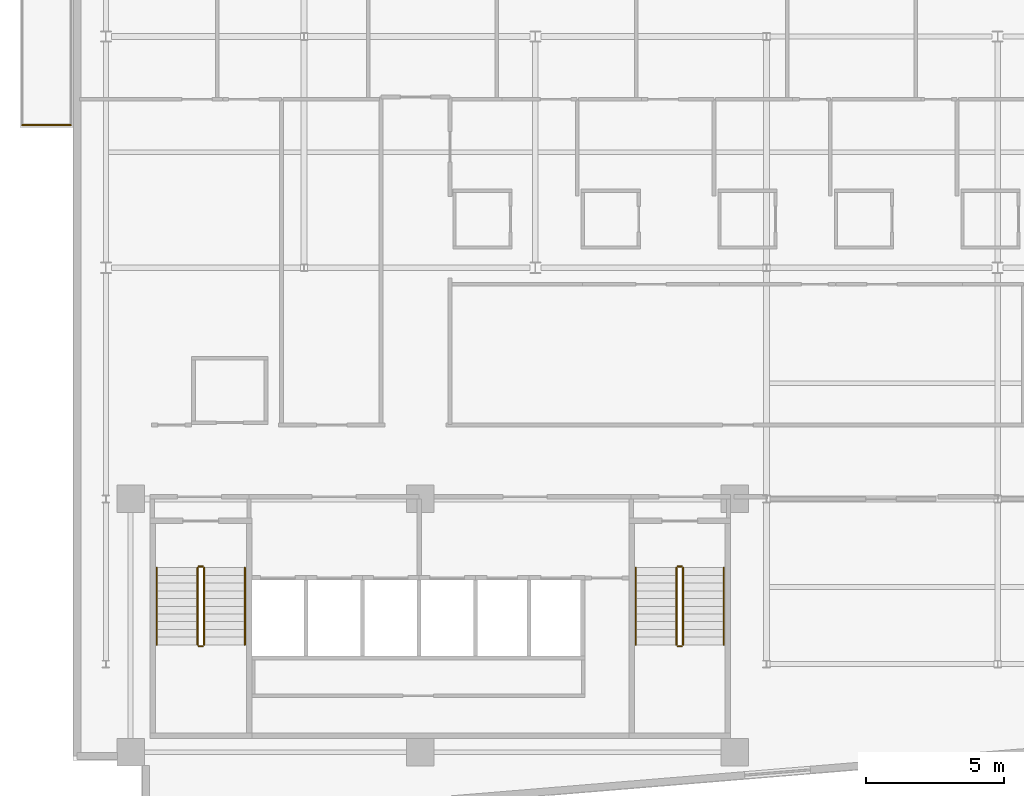
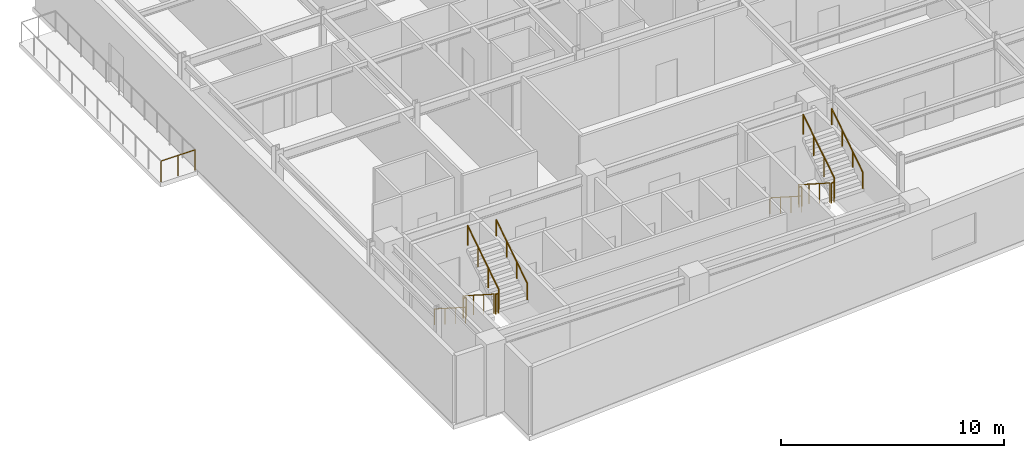
# One storey, part 14 of 16: 13 railings.
"""IFC4 building model written with IfcOpenShell, lengths in metres."""

from ifc_helpers import new_model, si_unit, direction, frame, origin, origin_2d, place, context, subcontext, project, spatial, circle, extrude, material, type_object, element, save


model = new_model("IFC4")

# Units and contexts
model_context = context("Model", 3, precision=1e-05, world=origin(), true_north=direction((0.0, 1.0)))
body_context = subcontext(model_context, "Body", "Model", "MODEL_VIEW")
ifc_project = project(units=[si_unit("LENGTHUNIT", "METRE"), si_unit("AREAUNIT", "SQUARE_METRE"), si_unit("VOLUMEUNIT", "CUBIC_METRE"), si_unit("PLANEANGLEUNIT", "RADIAN"), si_unit("MASSUNIT", "GRAM", prefix="KILO")], contexts=[model_context])

# Site, building, storey
site_placement = place(None, origin())
site = spatial("IfcSite", under=ifc_project, at=site_placement, CompositionType="ELEMENT")
building_placement = place(site_placement, origin())
building = spatial("IfcBuilding", under=site, at=building_placement, Name="Varnakote Quay Hospital", CompositionType="ELEMENT")
storey_placement = place(building_placement, frame((0.0, 0.0, 223.699951171875)))
storey = spatial("IfcBuildingStorey", under=building, at=storey_placement, Name="L55", CompositionType="ELEMENT", Elevation=223.699951171875)

# Railings
ifc_material_1 = material(Name="Anodised aluminium 6063-T6 Bronze", Category="aluminium")
railing_type_1 = type_object("IfcRailingType", Name="RLG-EXT-GUARD-1150", PredefinedType="GUARDRAIL", material=ifc_material_1)
railing_1_placement = place(storey_placement, frame((-0.075927734375, 25.580078125, 0.0)))
element("IfcRailing", 1, at=railing_1_placement, inside=storey, type_object=railing_type_1, Name="L55 Zigzag Prow Healing Terrace Safety Guard", PredefinedType="GUARDRAIL", context=body_context, shape_type="SweptSolid", body=[
    extrude(circle(Radius=0.02392578125, at=origin_2d()), frame((0.0, 0.0, 1.1259765625), z_axis=(-1.0, 0.0, 0.0), x_axis=(0.0, -1.0, 0.0)), (0.0, 0.0, 1.0), 1.76416015625),
    extrude(circle(Radius=0.02099609375, at=origin_2d()), origin(), (0.0, 0.0, 1.0), 1.101806640625),
    extrude(circle(Radius=0.02099609375, at=origin_2d()), frame((-0.882080078125, 0.0, 0.0)), (0.0, 0.0, 1.0), 1.101806640625),
    extrude(circle(Radius=0.02099609375, at=origin_2d()), frame((-1.76416015625, 0.0, 0.0)), (0.0, 0.0, 1.0), 1.101806640625),
])
ifc_material_2 = material(Name="Brushed stainless steel balustrade", Category="steel")
railing_type_2 = type_object("IfcRailingType", Name="RLG-STAIR-GUARD-1150", PredefinedType="GUARDRAIL", material=ifc_material_2)
railing_2_placement = place(storey_placement, frame((4.530029296875, 9.5, 0.1796875)))
element("IfcRailing", 2, at=railing_2_placement, inside=storey, type_object=railing_type_2, Name="L55 ST-01 stair guard 1", PredefinedType="GUARDRAIL", context=body_context, shape_type="SweptSolid", body=[
    extrude(circle(Radius=0.02392578125, at=origin_2d()), frame((0.0, 0.0, 1.076171875), z_axis=(0.0, -0.841809871826, 0.539774156196), x_axis=(1.0, 0.0, 0.0)), (0.0, 0.0, 1.0), 3.326171875),
    extrude(circle(Radius=0.02099609375, at=origin_2d()), origin(), (0.0, 0.0, 1.0), 1.052001953125),
    extrude(circle(Radius=0.02099609375, at=origin_2d()), frame((0.0, -0.933349609375, 0.598388671875)), (0.0, 0.0, 1.0), 1.052001953125),
    extrude(circle(Radius=0.02099609375, at=origin_2d()), frame((0.0, -1.86669921875, 1.197021484375)), (0.0, 0.0, 1.0), 1.052001953125),
    extrude(circle(Radius=0.02099609375, at=origin_2d()), frame((0.0, -2.800048828125, 1.79541015625)), (0.0, 0.0, 1.0), 1.052001953125),
])
railing_3_placement = place(storey_placement, frame((4.580078125, 6.64990234375, 1.97509765625)))
element("IfcRailing", 3, at=railing_3_placement, inside=storey, type_object=railing_type_2, Name="L55 ST-01 stair guard 2", PredefinedType="GUARDRAIL", context=body_context, shape_type="SweptSolid", body=[
    extrude(circle(Radius=0.02392578125, at=origin_2d()), frame((0.0, 0.0, 1.076171875), z_axis=(1.0, 0.0, 0.0), x_axis=(0.0, 1.0, 0.0)), (0.0, 0.0, 1.0), 0.139892578125),
    extrude(circle(Radius=0.02099609375, at=origin_2d()), origin(), (0.0, 0.0, 1.0), 1.052001953125),
    extrude(circle(Radius=0.02099609375, at=origin_2d()), frame((0.139892578125, 0.0, 0.0)), (0.0, 0.0, 1.0), 1.052001953125),
])
railing_4_placement = place(storey_placement, frame((4.77001953125, 6.699951171875, 2.154541015625)))
element("IfcRailing", 4, at=railing_4_placement, inside=storey, type_object=railing_type_2, Name="L55 ST-01 stair guard 3", PredefinedType="GUARDRAIL", context=body_context, shape_type="SweptSolid", body=[
    extrude(circle(Radius=0.02392578125, at=origin_2d()), frame((0.0, 0.0, 1.076171875), z_axis=(0.0, 0.841809871826, 0.539774156196), x_axis=(-1.0, 0.0, 0.0)), (0.0, 0.0, 1.0), 3.326171875),
    extrude(circle(Radius=0.02099609375, at=origin_2d()), origin(), (0.0, 0.0, 1.0), 1.052001953125),
    extrude(circle(Radius=0.02099609375, at=origin_2d()), frame((0.0, 0.933349609375, 0.598388671875)), (0.0, 0.0, 1.0), 1.052001953125),
    extrude(circle(Radius=0.02099609375, at=origin_2d()), frame((0.0, 1.86669921875, 1.197021484375)), (0.0, 0.0, 1.0), 1.052001953125),
    extrude(circle(Radius=0.02099609375, at=origin_2d()), frame((0.0, 2.800048828125, 1.79541015625)), (0.0, 0.0, 1.0), 1.052001953125),
])
railing_5_placement = place(storey_placement, frame((4.580078125, 9.550048828125, 0.0)))
element("IfcRailing", 5, at=railing_5_placement, inside=storey, type_object=railing_type_2, Name="L55 ST-01 stair guard 4", PredefinedType="GUARDRAIL", context=body_context, shape_type="SweptSolid", body=[
    extrude(circle(Radius=0.02392578125, at=origin_2d()), frame((0.0, 0.0, 1.076171875), z_axis=(1.0, 0.0, 0.0), x_axis=(0.0, 1.0, 0.0)), (0.0, 0.0, 1.0), 0.139892578125),
    extrude(circle(Radius=0.02099609375, at=origin_2d()), origin(), (0.0, 0.0, 1.0), 1.052001953125),
    extrude(circle(Radius=0.02099609375, at=origin_2d()), frame((0.139892578125, 0.0, 0.0)), (0.0, 0.0, 1.0), 1.052001953125),
])
railing_6_placement = place(storey_placement, frame((21.929931640625, 9.5, 0.1796875)))
element("IfcRailing", 6, at=railing_6_placement, inside=storey, type_object=railing_type_2, Name="L55 ST-02 stair guard 1", PredefinedType="GUARDRAIL", context=body_context, shape_type="SweptSolid", body=[
    extrude(circle(Radius=0.02392578125, at=origin_2d()), frame((0.0, 0.0, 1.076171875), z_axis=(0.0, -0.841809871826, 0.539774156196), x_axis=(1.0, 0.0, 0.0)), (0.0, 0.0, 1.0), 3.326171875),
    extrude(circle(Radius=0.02099609375, at=origin_2d()), origin(), (0.0, 0.0, 1.0), 1.052001953125),
    extrude(circle(Radius=0.02099609375, at=origin_2d()), frame((0.0, -0.933349609375, 0.598388671875)), (0.0, 0.0, 1.0), 1.052001953125),
    extrude(circle(Radius=0.02099609375, at=origin_2d()), frame((0.0, -1.86669921875, 1.197021484375)), (0.0, 0.0, 1.0), 1.052001953125),
    extrude(circle(Radius=0.02099609375, at=origin_2d()), frame((0.0, -2.800048828125, 1.79541015625)), (0.0, 0.0, 1.0), 1.052001953125),
])
railing_7_placement = place(storey_placement, frame((21.97998046875, 6.64990234375, 1.97509765625)))
element("IfcRailing", 7, at=railing_7_placement, inside=storey, type_object=railing_type_2, Name="L55 ST-02 stair guard 2", PredefinedType="GUARDRAIL", context=body_context, shape_type="SweptSolid", body=[
    extrude(circle(Radius=0.02392578125, at=origin_2d()), frame((0.0, 0.0, 1.076171875), z_axis=(1.0, 0.0, 0.0), x_axis=(0.0, 1.0, 0.0)), (0.0, 0.0, 1.0), 0.14013671875),
    extrude(circle(Radius=0.02099609375, at=origin_2d()), origin(), (0.0, 0.0, 1.0), 1.052001953125),
    extrude(circle(Radius=0.02099609375, at=origin_2d()), frame((0.14013671875, 0.0, 0.0)), (0.0, 0.0, 1.0), 1.052001953125),
])
railing_8_placement = place(storey_placement, frame((22.169921875, 6.699951171875, 2.154541015625)))
element("IfcRailing", 8, at=railing_8_placement, inside=storey, type_object=railing_type_2, Name="L55 ST-02 stair guard 3", PredefinedType="GUARDRAIL", context=body_context, shape_type="SweptSolid", body=[
    extrude(circle(Radius=0.02392578125, at=origin_2d()), frame((0.0, 0.0, 1.076171875), z_axis=(0.0, 0.841809871826, 0.539774156196), x_axis=(-1.0, 0.0, 0.0)), (0.0, 0.0, 1.0), 3.326171875),
    extrude(circle(Radius=0.02099609375, at=origin_2d()), origin(), (0.0, 0.0, 1.0), 1.052001953125),
    extrude(circle(Radius=0.02099609375, at=origin_2d()), frame((0.0, 0.933349609375, 0.598388671875)), (0.0, 0.0, 1.0), 1.052001953125),
    extrude(circle(Radius=0.02099609375, at=origin_2d()), frame((0.0, 1.86669921875, 1.197021484375)), (0.0, 0.0, 1.0), 1.052001953125),
    extrude(circle(Radius=0.02099609375, at=origin_2d()), frame((0.0, 2.800048828125, 1.79541015625)), (0.0, 0.0, 1.0), 1.052001953125),
])
railing_9_placement = place(storey_placement, frame((21.97998046875, 9.550048828125, 0.0)))
element("IfcRailing", 9, at=railing_9_placement, inside=storey, type_object=railing_type_2, Name="L55 ST-02 stair guard 4", PredefinedType="GUARDRAIL", context=body_context, shape_type="SweptSolid", body=[
    extrude(circle(Radius=0.02392578125, at=origin_2d()), frame((0.0, 0.0, 1.076171875), z_axis=(1.0, 0.0, 0.0), x_axis=(0.0, 1.0, 0.0)), (0.0, 0.0, 1.0), 0.14013671875),
    extrude(circle(Radius=0.02099609375, at=origin_2d()), origin(), (0.0, 0.0, 1.0), 1.052001953125),
    extrude(circle(Radius=0.02099609375, at=origin_2d()), frame((0.14013671875, 0.0, 0.0)), (0.0, 0.0, 1.0), 1.052001953125),
])
ifc_material_3 = material(Name="Brushed stainless steel handrail", Category="steel")
railing_type_3 = type_object("IfcRailingType", Name="RLG-STAIR-HND-920", PredefinedType="HANDRAIL", material=ifc_material_3)
railing_10_placement = place(storey_placement, frame((3.050048828125, 9.5, 0.1796875)))
element("IfcRailing", 10, at=railing_10_placement, inside=storey, type_object=railing_type_3, Name="L55 ST-01 stair handrail 1", PredefinedType="HANDRAIL", context=body_context, shape_type="SweptSolid", body=[
    extrude(circle(Radius=0.02392578125, at=origin_2d()), frame((0.0, 0.0, 0.8759765625), z_axis=(0.0, -0.841809871826, 0.539774156196), x_axis=(1.0, 0.0, 0.0)), (0.0, 0.0, 1.0), 3.326171875),
    extrude(circle(Radius=0.02099609375, at=origin_2d()), origin(), (0.0, 0.0, 1.0), 0.851806640625),
    extrude(circle(Radius=0.02099609375, at=origin_2d()), frame((0.0, -0.933349609375, 0.598388671875)), (0.0, 0.0, 1.0), 0.851806640625),
    extrude(circle(Radius=0.02099609375, at=origin_2d()), frame((0.0, -1.86669921875, 1.197021484375)), (0.0, 0.0, 1.0), 0.851806640625),
    extrude(circle(Radius=0.02099609375, at=origin_2d()), frame((0.0, -2.800048828125, 1.79541015625)), (0.0, 0.0, 1.0), 0.851806640625),
])
railing_11_placement = place(storey_placement, frame((6.25, 6.699951171875, 2.154541015625)))
element("IfcRailing", 11, at=railing_11_placement, inside=storey, type_object=railing_type_3, Name="L55 ST-01 stair handrail 2", PredefinedType="HANDRAIL", context=body_context, shape_type="SweptSolid", body=[
    extrude(circle(Radius=0.02392578125, at=origin_2d()), frame((0.0, 0.0, 0.8759765625), z_axis=(0.0, 0.841809871826, 0.539774156196), x_axis=(-1.0, 0.0, 0.0)), (0.0, 0.0, 1.0), 3.326171875),
    extrude(circle(Radius=0.02099609375, at=origin_2d()), origin(), (0.0, 0.0, 1.0), 0.851806640625),
    extrude(circle(Radius=0.02099609375, at=origin_2d()), frame((0.0, 0.933349609375, 0.598388671875)), (0.0, 0.0, 1.0), 0.851806640625),
    extrude(circle(Radius=0.02099609375, at=origin_2d()), frame((0.0, 1.86669921875, 1.197021484375)), (0.0, 0.0, 1.0), 0.851806640625),
    extrude(circle(Radius=0.02099609375, at=origin_2d()), frame((0.0, 2.800048828125, 1.79541015625)), (0.0, 0.0, 1.0), 0.851806640625),
])
railing_12_placement = place(storey_placement, frame((20.449951171875, 9.5, 0.1796875)))
element("IfcRailing", 12, at=railing_12_placement, inside=storey, type_object=railing_type_3, Name="L55 ST-02 stair handrail 1", PredefinedType="HANDRAIL", context=body_context, shape_type="SweptSolid", body=[
    extrude(circle(Radius=0.02392578125, at=origin_2d()), frame((0.0, 0.0, 0.8759765625), z_axis=(0.0, -0.841809871826, 0.539774156196), x_axis=(1.0, 0.0, 0.0)), (0.0, 0.0, 1.0), 3.326171875),
    extrude(circle(Radius=0.02099609375, at=origin_2d()), origin(), (0.0, 0.0, 1.0), 0.851806640625),
    extrude(circle(Radius=0.02099609375, at=origin_2d()), frame((0.0, -0.933349609375, 0.598388671875)), (0.0, 0.0, 1.0), 0.851806640625),
    extrude(circle(Radius=0.02099609375, at=origin_2d()), frame((0.0, -1.86669921875, 1.197021484375)), (0.0, 0.0, 1.0), 0.851806640625),
    extrude(circle(Radius=0.02099609375, at=origin_2d()), frame((0.0, -2.800048828125, 1.79541015625)), (0.0, 0.0, 1.0), 0.851806640625),
])
railing_13_placement = place(storey_placement, frame((23.64990234375, 6.699951171875, 2.154541015625)))
element("IfcRailing", 13, at=railing_13_placement, inside=storey, type_object=railing_type_3, Name="L55 ST-02 stair handrail 2", PredefinedType="HANDRAIL", context=body_context, shape_type="SweptSolid", body=[
    extrude(circle(Radius=0.02392578125, at=origin_2d()), frame((0.0, 0.0, 0.8759765625), z_axis=(0.0, 0.841809871826, 0.539774156196), x_axis=(-1.0, 0.0, 0.0)), (0.0, 0.0, 1.0), 3.326171875),
    extrude(circle(Radius=0.02099609375, at=origin_2d()), origin(), (0.0, 0.0, 1.0), 0.851806640625),
    extrude(circle(Radius=0.02099609375, at=origin_2d()), frame((0.0, 0.933349609375, 0.598388671875)), (0.0, 0.0, 1.0), 0.851806640625),
    extrude(circle(Radius=0.02099609375, at=origin_2d()), frame((0.0, 1.86669921875, 1.197021484375)), (0.0, 0.0, 1.0), 0.851806640625),
    extrude(circle(Radius=0.02099609375, at=origin_2d()), frame((0.0, 2.800048828125, 1.79541015625)), (0.0, 0.0, 1.0), 0.851806640625),
])

save(model, "model.ifc")
